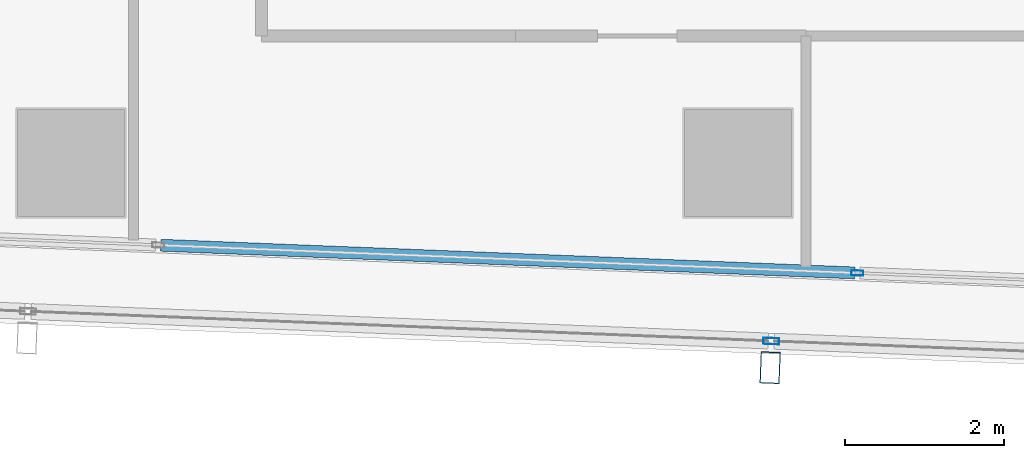
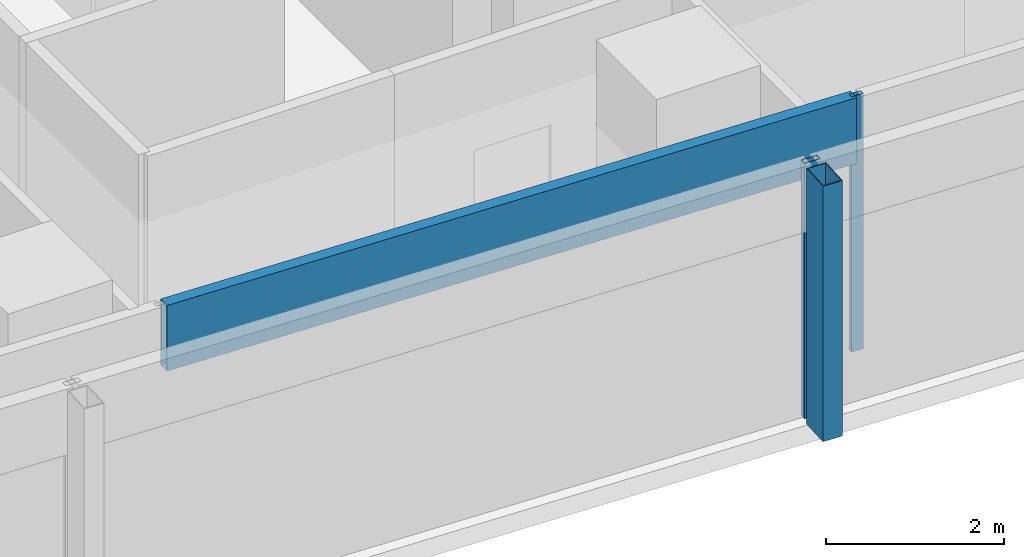
# One storey, part 6 of 38: 4 members, 2 elements without a shape of their own.
"""IFC4 building model written with IfcOpenShell, lengths in metres."""

from ifc_helpers import new_model, si_unit, direction, frame, origin, origin_2d, place, context, subcontext, project, spatial, hollow_rectangle, extrude, material, material_profile, profile_set, type_object, element, aggregate, save


model = new_model("IFC4")

# Units and contexts
model_context = context("Model", 3, precision=1e-05, world=origin(), true_north=direction((0.0, 1.0)))
body_context = subcontext(model_context, "Body", "Model", "MODEL_VIEW")
ifc_project = project(units=[si_unit("LENGTHUNIT", "METRE"), si_unit("AREAUNIT", "SQUARE_METRE"), si_unit("VOLUMEUNIT", "CUBIC_METRE"), si_unit("PLANEANGLEUNIT", "RADIAN"), si_unit("MASSUNIT", "GRAM", prefix="KILO")], contexts=[model_context])

# Site, building, storey
site_placement = place(None, origin())
site = spatial("IfcSite", under=ifc_project, at=site_placement, CompositionType="ELEMENT")
building_placement = place(site_placement, origin())
building = spatial("IfcBuilding", under=site, at=building_placement, Name="Rekha Terrace Tower", CompositionType="ELEMENT")
storey_placement = place(building_placement, frame((0.0, 0.0, 198.949951171875)))
storey = spatial("IfcBuildingStorey", under=building, at=storey_placement, Name="L50", CompositionType="ELEMENT", Elevation=198.949951171875)

# Curtain wall, member
ifc_material_1 = material(Name="Aluminium framing", Category="aluminium")
curtain_wall_type_1 = type_object("IfcCurtainWallType", Name="CW2 double skin outer glazing", PredefinedType="USERDEFINED", material=ifc_material_1)
curtain_wall_1_placement = place(storey_placement, origin())
curtain_wall_1 = element("IfcCurtainWall", 1, at=curtain_wall_1_placement, inside=storey, type_object=curtain_wall_type_1, Name="CW2 double skin outer glazing", ObjectType="DOUBLE SKIN OUTER GLAZING", PredefinedType="USERDEFINED")
ifc_material_2 = material(Name="Steel S355 with fluorocarbon finish", Category="steel")
ifc_material_profile_1 = material_profile(ifc_material_2, hollow_rectangle(XDim=0.25, YDim=0.39990234375, WallThickness=0.012451171875, at=origin_2d()), Name="RHS400x250x12.5")
ifc_profile_set_1 = profile_set([ifc_material_profile_1], Name="Steel S355 with fluorocarbon finish")
member_type_1 = type_object("IfcMemberType", Name="BL1 facade blade RHS 400 x 250", PredefinedType="USERDEFINED", material=ifc_profile_set_1)
member_1_placement = place(storey_placement, frame((25.60498046875, 14.222412109375, 0.0), z_axis=(0.0, 0.0, 1.0), x_axis=(0.999204797763, -0.039871946621, 0.0)))
member_1 = element("IfcMember", 2, at=member_1_placement, type_object=member_type_1, Name="Facade blade", ObjectType="FACADE BLADE", PredefinedType="USERDEFINED", context=body_context, shape_type="SweptSolid", body=[
    extrude(hollow_rectangle(XDim=0.25, YDim=0.39990234375, WallThickness=0.012451171875, at=origin_2d()), origin(), (0.0, 0.0, 1.0), 3.5),
])

# Curtain wall, members
curtain_wall_type_2 = type_object("IfcCurtainWallType", Name="CW1 double skin inner glazing", PredefinedType="USERDEFINED", material=ifc_material_1)
curtain_wall_2_placement = place(storey_placement, origin())
curtain_wall_2 = element("IfcCurtainWall", 3, at=curtain_wall_2_placement, inside=storey, type_object=curtain_wall_type_2, Name="CW1 double skin inner glazing", ObjectType="DOUBLE SKIN INNER GLAZING", PredefinedType="USERDEFINED")
ifc_material_3 = material(Name="Aluminium mullion section", Category="aluminium")
ifc_material_profile_2 = material_profile(ifc_material_3, hollow_rectangle(XDim=0.06494140625, YDim=0.14990234375, WallThickness=0.00390625, at=origin_2d()), Name="AL RHS 65x150")
ifc_profile_set_2 = profile_set([ifc_material_profile_2], Name="Aluminium mullion section")
member_type_2 = type_object("IfcMemberType", Name="CW1 mullion RHS 65 x 150", PredefinedType="MULLION", material=ifc_profile_set_2)
member_2_placement = place(storey_placement, frame((26.703369140625, 15.41455078125, 0.0), z_axis=(0.0, 0.0, 1.0), x_axis=(0.039872497061, 0.999204775798, 0.0)))
member_2 = element("IfcMember", 4, at=member_2_placement, type_object=member_type_2, Name="CW1 mullion 3", PredefinedType="MULLION", context=body_context, shape_type="SweptSolid", body=[
    extrude(hollow_rectangle(XDim=0.06494140625, YDim=0.14990234375, WallThickness=0.00390625, at=origin_2d()), origin(), (0.0, 0.0, 1.0), 3.5),
])
ifc_material_4 = material(Name="Insulated aluminium spandrel box", Category="aluminium")
ifc_material_profile_3 = material_profile(ifc_material_4, hollow_rectangle(XDim=0.14990234375, YDim=0.89990234375, WallThickness=0.0029296875, at=origin_2d()), Name="AL SPANDREL BOX 150x900")
ifc_profile_set_3 = profile_set([ifc_material_profile_3], Name="Insulated aluminium spandrel box")
member_type_3 = type_object("IfcMemberType", Name="CW1 spandrel transom 150 x 900", PredefinedType="USERDEFINED", material=ifc_profile_set_3)
member_3_placement = place(storey_placement, frame((17.931396484375, 15.7646484375, 3.050048828125), z_axis=(0.999205278064, -0.039859908291, 0.0), x_axis=(0.039859908291, 0.999205278064, 0.0)))
member_3 = element("IfcMember", 5, at=member_3_placement, type_object=member_type_3, Name="CW1 spandrel transom 2", ObjectType="TRANSOM", PredefinedType="USERDEFINED", context=body_context, shape_type="SweptSolid", body=[
    extrude(hollow_rectangle(XDim=0.14990234375, YDim=0.89990234375, WallThickness=0.0029296875, at=origin_2d()), origin(), (0.0, 0.0, 1.0), 8.746337890625),
])
aggregate(curtain_wall_2, [member_2, member_3])

# Member
ifc_material_profile_4 = material_profile(ifc_material_3, hollow_rectangle(XDim=0.080078125, YDim=0.199951171875, WallThickness=0.00390625, at=origin_2d()), Name="AL RHS 80x200")
ifc_profile_set_4 = profile_set([ifc_material_profile_4], Name="Aluminium mullion section")
member_type_4 = type_object("IfcMemberType", Name="CW2 mullion RHS 80 x 200", PredefinedType="MULLION", material=ifc_profile_set_4)
member_4_placement = place(storey_placement, frame((25.618408203125, 14.55712890625, 0.0), z_axis=(0.0, 0.0, 1.0), x_axis=(0.039872497044, 0.999204775799, 0.0)))
member_4 = element("IfcMember", 6, at=member_4_placement, type_object=member_type_4, Name="CW2 mullion 3", PredefinedType="MULLION", context=body_context, shape_type="SweptSolid", body=[
    extrude(hollow_rectangle(XDim=0.080078125, YDim=0.199951171875, WallThickness=0.00390625, at=origin_2d()), origin(), (0.0, 0.0, 1.0), 3.5),
])

aggregate(curtain_wall_1, [member_4, member_1])

save(model, "model.ifc")
